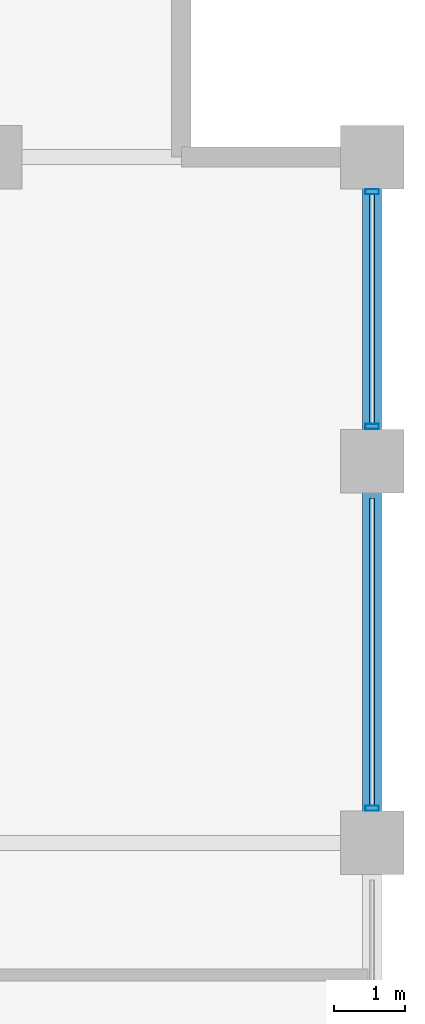
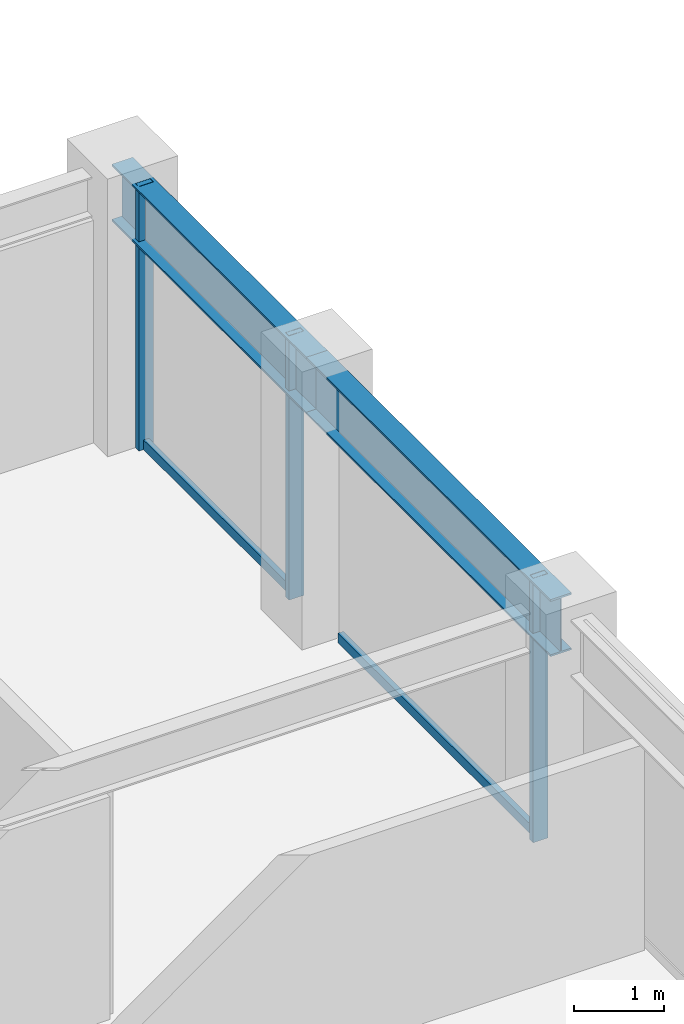
# One storey, part 25 of 32: 5 members, 2 beams, 1 element without a shape of its own.
"""IFC4 building model written with IfcOpenShell, lengths in metres."""

from ifc_helpers import new_model, si_unit, direction, frame, origin, origin_2d, place, context, subcontext, project, spatial, hollow_rectangle, i_section, extrude, material, layer, layer_set, material_profile, profile_set, type_object, element, aggregate, save


model = new_model("IFC4")

# Units and contexts
model_context = context("Model", 3, precision=1e-05, world=origin(), true_north=direction((0.0, 1.0)))
body_context = subcontext(model_context, "Body", "Model", "MODEL_VIEW")
ifc_project = project(units=[si_unit("LENGTHUNIT", "METRE"), si_unit("AREAUNIT", "SQUARE_METRE"), si_unit("VOLUMEUNIT", "CUBIC_METRE"), si_unit("PLANEANGLEUNIT", "RADIAN"), si_unit("MASSUNIT", "GRAM", prefix="KILO")], contexts=[model_context])

# Site, building, storey
site_placement = place(None, origin())
site = spatial("IfcSite", under=ifc_project, at=site_placement, CompositionType="ELEMENT")
building_placement = place(site_placement, origin())
building = spatial("IfcBuilding", under=site, at=building_placement, Name="Surkhivell Harbour Commons", CompositionType="ELEMENT")
storey_placement = place(building_placement, frame((0.0, 0.0, 197.25)))
storey = spatial("IfcBuildingStorey", under=building, at=storey_placement, Name="L51", CompositionType="ELEMENT", Elevation=197.25)

# Beams
ifc_material_1 = material(Name="Steel S355", Category="steel")
ifc_material_profile_1 = material_profile(ifc_material_1, i_section(OverallWidth=0.26806640625, OverallDepth=0.77001953125, WebThickness=0.015625, FlangeThickness=0.025390625, at=origin_2d()), Name="UB762x267x197")
ifc_profile_set_1 = profile_set([ifc_material_profile_1], Name="Steel S355")
beam_type = type_object("IfcBeamType", Name="BM-SPN-762", PredefinedType="SPANDREL", material=ifc_profile_set_1)
beam_1_placement = place(storey_placement, frame((21.60009765625, 10.800048828125, 3.18505859375), z_axis=(0.0, 1.0, 0.0), x_axis=(-1.0, 0.0, 0.0)))
element("IfcBeam", 1, at=beam_1_placement, inside=storey, type_object=beam_type, Name="L51 Tube Spandrel (21.6,10.8)", PredefinedType="SPANDREL", context=body_context, shape_type="SweptSolid", body=[
    extrude(i_section(OverallWidth=0.26806640625, OverallDepth=0.77001953125, WebThickness=0.015625, FlangeThickness=0.025390625, at=origin_2d()), origin(), (0.0, 0.0, 1.0), 5.39990234375),
])
beam_2_placement = place(storey_placement, frame((21.60009765625, 16.199951171875, 3.18505859375), z_axis=(0.0, 1.0, 0.0), x_axis=(-1.0, 0.0, 0.0)))
element("IfcBeam", 2, at=beam_2_placement, inside=storey, type_object=beam_type, Name="L51 Tube Spandrel (21.6,16.2)", PredefinedType="SPANDREL", context=body_context, shape_type="SweptSolid", body=[
    extrude(i_section(OverallWidth=0.26806640625, OverallDepth=0.77001953125, WebThickness=0.015625, FlangeThickness=0.025390625, at=origin_2d()), origin(), (0.0, 0.0, 1.0), 4.300048828125),
])

# Curtain wall, members
ifc_material_2 = material(Name="Anodised pale-metal aluminium and insulated glazing", Category="aluminium")
ifc_layer = layer(ifc_material_2, 0.18994140625)
ifc_layer_set = layer_set([ifc_layer], Name="Anodised pale-metal aluminium and insulated glazing")
curtain_wall_type = type_object("IfcCurtainWallType", Name="CW-SYS-Z3", PredefinedType="NOTDEFINED", material=ifc_layer_set)
curtain_wall_placement = place(storey_placement, origin())
curtain_wall = element("IfcCurtainWall", 3, at=curtain_wall_placement, inside=storey, type_object=curtain_wall_type, Name="L51 Curtain Wall CW-L51-E02", PredefinedType="NOTDEFINED")
ifc_material_3 = material(Name="Anodised pale-metal aluminium alloy 6063-T6", Category="aluminium")
ifc_material_profile_2 = material_profile(ifc_material_3, hollow_rectangle(XDim=0.074951171875, YDim=0.18994140625, WallThickness=0.00390625, at=origin_2d()), Name="ALU-MULL-75x190")
ifc_profile_set_2 = profile_set([ifc_material_profile_2], Name="Anodised pale-metal aluminium alloy 6063-T6")
member_type_1 = type_object("IfcMemberType", Name="CWM-190", PredefinedType="MULLION", material=ifc_profile_set_2)
member_1_placement = place(storey_placement, frame((21.60009765625, 11.28955078125, 0.0), z_axis=(0.0, 0.0, 1.0), x_axis=(0.0, 1.0, 0.0)))
member_1 = element("IfcMember", 4, at=member_1_placement, type_object=member_type_1, Name="CW-Z3 mullion 4", PredefinedType="MULLION", context=body_context, shape_type="SweptSolid", body=[
    extrude(hollow_rectangle(XDim=0.074951171875, YDim=0.18994140625, WallThickness=0.00390625, at=origin_2d()), origin(), (0.0, 0.0, 1.0), 3.570068359375),
])
member_2_placement = place(storey_placement, frame((21.60009765625, 16.689453125, 0.0), z_axis=(0.0, 0.0, 1.0), x_axis=(0.0, 1.0, 0.0)))
member_2 = element("IfcMember", 5, at=member_2_placement, type_object=member_type_1, Name="CW-Z3 mullion 5", PredefinedType="MULLION", context=body_context, shape_type="SweptSolid", body=[
    extrude(hollow_rectangle(XDim=0.074951171875, YDim=0.18994140625, WallThickness=0.00390625, at=origin_2d()), origin(), (0.0, 0.0, 1.0), 3.570068359375),
])
member_3_placement = place(storey_placement, frame((21.60009765625, 20.010498046875, 0.0), z_axis=(0.0, 0.0, 1.0), x_axis=(0.0, 1.0, 0.0)))
member_3 = element("IfcMember", 6, at=member_3_placement, type_object=member_type_1, Name="CW-Z3 mullion 6", PredefinedType="MULLION", context=body_context, shape_type="SweptSolid", body=[
    extrude(hollow_rectangle(XDim=0.074951171875, YDim=0.18994140625, WallThickness=0.00390625, at=origin_2d()), origin(), (0.0, 0.0, 1.0), 3.570068359375),
])
ifc_material_4 = material(Name="Champagne anodised aluminium alloy 6063-T6", Category="aluminium")
ifc_material_profile_3 = material_profile(ifc_material_4, hollow_rectangle(XDim=0.070068359375, YDim=0.1298828125, WallThickness=0.00341796875, at=origin_2d()), Name="ALU-TRAN-70x130")
ifc_profile_set_3 = profile_set([ifc_material_profile_3], Name="Champagne anodised aluminium alloy 6063-T6")
member_type_2 = type_object("IfcMemberType", Name="CWT-130", PredefinedType="USERDEFINED", material=ifc_profile_set_3)
member_4_placement = place(storey_placement, frame((21.60009765625, 11.326904296875, 0.06494140625), z_axis=(0.0, 1.0, 0.0), x_axis=(-1.0, 0.0, 0.0)))
member_4 = element("IfcMember", 7, at=member_4_placement, type_object=member_type_2, Name="CW-Z3 transom 4.1", ObjectType="TRANSOM", PredefinedType="USERDEFINED", context=body_context, shape_type="SweptSolid", body=[
    extrude(hollow_rectangle(XDim=0.070068359375, YDim=0.1298828125, WallThickness=0.00341796875, at=origin_2d()), origin(), (0.0, 0.0, 1.0), 4.34619140625),
])
member_5_placement = place(storey_placement, frame((21.60009765625, 16.72705078125, 0.06494140625), z_axis=(0.0, 1.0, 0.0), x_axis=(-1.0, 0.0, 0.0)))
member_5 = element("IfcMember", 8, at=member_5_placement, type_object=member_type_2, Name="CW-Z3 transom 5.1", ObjectType="TRANSOM", PredefinedType="USERDEFINED", context=body_context, shape_type="SweptSolid", body=[
    extrude(hollow_rectangle(XDim=0.070068359375, YDim=0.1298828125, WallThickness=0.00341796875, at=origin_2d()), origin(), (0.0, 0.0, 1.0), 3.245849609375),
])
aggregate(curtain_wall, [member_1, member_4, member_2, member_3, member_5])

save(model, "model.ifc")
